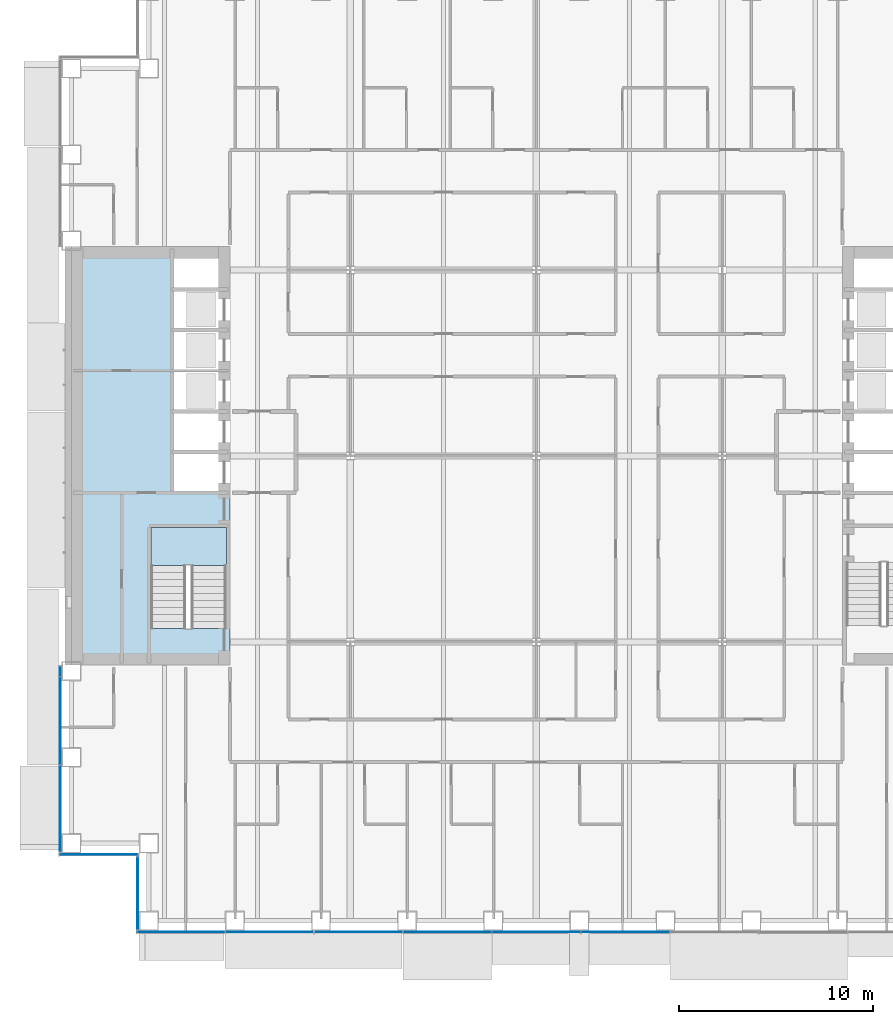
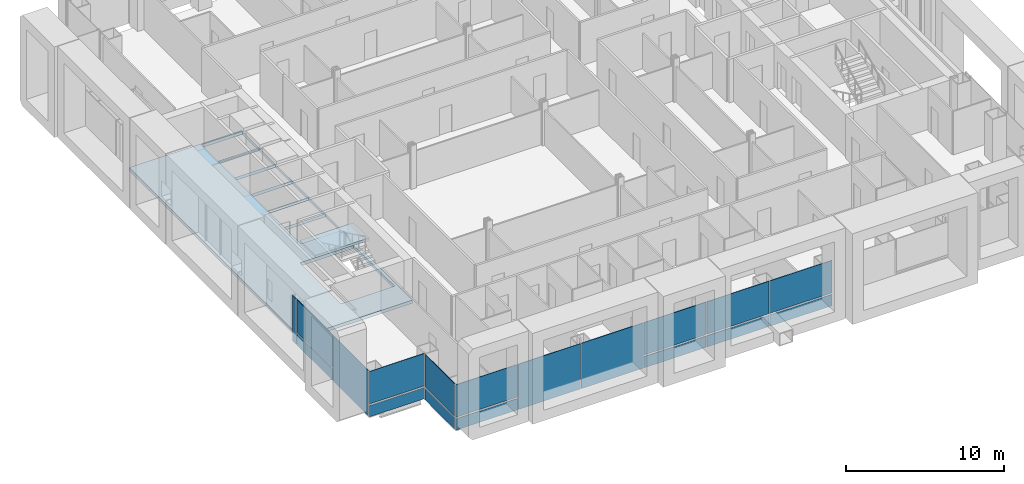
# One storey, part 10 of 25: 18 plates, 2 slabs, 5 elements without a shape of their own.
"""IFC4 building model written with IfcOpenShell, lengths in metres."""

from ifc_helpers import new_model, si_unit, direction, frame, origin, origin_2d, place, context, subcontext, project, spatial, polyline, rectangle, outline, extrude, material, layer, layer_set, type_object, element, aggregate, save


model = new_model("IFC4")

# Units and contexts
model_context = context("Model", 3, precision=1e-05, world=origin(), true_north=direction((0.0, 1.0)))
body_context = subcontext(model_context, "Body", "Model", "MODEL_VIEW")
ifc_project = project(units=[si_unit("LENGTHUNIT", "METRE"), si_unit("AREAUNIT", "SQUARE_METRE"), si_unit("VOLUMEUNIT", "CUBIC_METRE"), si_unit("PLANEANGLEUNIT", "RADIAN"), si_unit("MASSUNIT", "GRAM", prefix="KILO")], contexts=[model_context])

# Site, building, storey
site_placement = place(None, origin())
site = spatial("IfcSite", under=ifc_project, at=site_placement, CompositionType="ELEMENT")
building_placement = place(site_placement, origin())
building = spatial("IfcBuilding", under=site, at=building_placement, Name="Cobrizo Arcos Hotel Tower", CompositionType="ELEMENT")
storey_placement = place(building_placement, frame((0.0, 0.0, 53.0)))
storey = spatial("IfcBuildingStorey", under=building, at=storey_placement, Name="L11", CompositionType="ELEMENT", Elevation=53.0)

# Curtain wall, plates
ifc_material_1 = material(Name="Aluminium 6063-T6 anodised bronze", Category="aluminium")
curtain_wall_type = type_object("IfcCurtainWallType", Name="CW-A guest facade", PredefinedType="NOTDEFINED", material=ifc_material_1)
curtain_wall_1_placement = place(storey_placement, origin())
curtain_wall_1 = element("IfcCurtainWall", 1, at=curtain_wall_1_placement, inside=storey, type_object=curtain_wall_type, Name="CW-A L11 S face", PredefinedType="NOTDEFINED")
ifc_material_2 = material(Name="Glass clear laminated low-e", Category="glass")
ifc_layer_1 = layer(ifc_material_2, 0.0400390625)
ifc_layer_set_1 = layer_set([ifc_layer_1], Name="CW-A glass panel")
plate_type_1 = type_object("IfcPlateType", Name="CW-A glass panel", PredefinedType="CURTAIN_PANEL", material=ifc_layer_set_1)
plate_1_placement = place(storey_placement, frame((-18.340576171875, -24.574951171875, 0.990234375), z_axis=(0.0, 0.0, 1.0), x_axis=(1.0, 0.0, 0.0)))
plate_1 = element("IfcPlate", 2, at=plate_1_placement, type_object=plate_type_1, Name="CW-A glass panel 513", PredefinedType="CURTAIN_PANEL", context=body_context, shape_type="SweptSolid", body=[
    extrude(rectangle(XDim=4.498779296875, YDim=0.0400390625, at=origin_2d()), origin(), (0.0, 0.0, 1.0), 2.510009765625),
])
plate_2_placement = place(storey_placement, frame((-4.5888671875, -24.574951171875, 0.990234375), z_axis=(0.0, 0.0, 1.0), x_axis=(1.0, 0.0, 0.0)))
plate_2 = element("IfcPlate", 3, at=plate_2_placement, type_object=plate_type_1, Name="CW-A glass panel 516", PredefinedType="CURTAIN_PANEL", context=body_context, shape_type="SweptSolid", body=[
    extrude(rectangle(XDim=4.52880859375, YDim=0.0400390625, at=origin_2d()), origin(), (0.0, 0.0, 1.0), 2.510009765625),
])
plate_3_placement = place(storey_placement, frame((0.0, -24.574951171875, 0.990234375), z_axis=(0.0, 0.0, 1.0), x_axis=(1.0, 0.0, 0.0)))
plate_3 = element("IfcPlate", 4, at=plate_3_placement, type_object=plate_type_1, Name="CW-A glass panel 517", PredefinedType="CURTAIN_PANEL", context=body_context, shape_type="SweptSolid", body=[
    extrude(rectangle(XDim=4.52880859375, YDim=0.0400390625, at=origin_2d()), origin(), (0.0, 0.0, 1.0), 2.510009765625),
])
plate_4_placement = place(storey_placement, frame((4.5888671875, -24.574951171875, 0.990234375), z_axis=(0.0, 0.0, 1.0), x_axis=(1.0, 0.0, 0.0)))
plate_4 = element("IfcPlate", 5, at=plate_4_placement, type_object=plate_type_1, Name="CW-A glass panel 518", PredefinedType="CURTAIN_PANEL", context=body_context, shape_type="SweptSolid", body=[
    extrude(rectangle(XDim=4.52880859375, YDim=0.0400390625, at=origin_2d()), origin(), (0.0, 0.0, 1.0), 2.510009765625),
])

# Curtain wall, plate
curtain_wall_2_placement = place(storey_placement, origin())
curtain_wall_2 = element("IfcCurtainWall", 6, at=curtain_wall_2_placement, inside=storey, type_object=curtain_wall_type, Name="CW-A L11 W face", PredefinedType="NOTDEFINED")
plate_5_placement = place(storey_placement, frame((-24.574951171875, -13.666748046875, 0.990234375), z_axis=(0.0, 0.0, 1.0), x_axis=(0.0, -1.0, 0.0)))
plate_5 = element("IfcPlate", 7, at=plate_5_placement, type_object=plate_type_1, Name="CW-A glass panel 547", PredefinedType="CURTAIN_PANEL", context=body_context, shape_type="SweptSolid", body=[
    extrude(rectangle(XDim=4.49560546875, YDim=0.0400390625, at=origin_2d()), origin(), (0.0, 0.0, 1.0), 2.510009765625),
])

curtain_wall_3_placement = place(storey_placement, origin())
curtain_wall_3 = element("IfcCurtainWall", 8, at=curtain_wall_3_placement, inside=storey, type_object=curtain_wall_type, Name="CW-A L11 S face", PredefinedType="NOTDEFINED")
plate_6_placement = place(storey_placement, frame((-22.574951171875, -20.574951171875, 0.990234375), z_axis=(0.0, 0.0, 1.0), x_axis=(1.0, 0.0, 0.0)))
plate_6 = element("IfcPlate", 9, at=plate_6_placement, type_object=plate_type_1, Name="CW-A glass panel 549", PredefinedType="CURTAIN_PANEL", context=body_context, shape_type="SweptSolid", body=[
    extrude(rectangle(XDim=4.030029296875, YDim=0.0400390625, at=origin_2d()), origin(), (0.0, 0.0, 1.0), 2.510009765625),
])

curtain_wall_4_placement = place(storey_placement, origin())
curtain_wall_4 = element("IfcCurtainWall", 10, at=curtain_wall_4_placement, inside=storey, type_object=curtain_wall_type, Name="CW-A L11 W face", PredefinedType="NOTDEFINED")
plate_7_placement = place(storey_placement, frame((-20.574951171875, -22.574951171875, 0.990234375), z_axis=(0.0, 0.0, 1.0), x_axis=(0.0, -1.0, 0.0)))
plate_7 = element("IfcPlate", 11, at=plate_7_placement, type_object=plate_type_1, Name="CW-A glass panel 550", PredefinedType="CURTAIN_PANEL", context=body_context, shape_type="SweptSolid", body=[
    extrude(rectangle(XDim=3.72998046875, YDim=0.0400390625, at=origin_2d()), origin(), (0.0, 0.0, 1.0), 2.510009765625),
])

# Plate
ifc_material_3 = material(Name="Aluminium composite panel pale metal", Category="aluminium")
ifc_layer_2 = layer(ifc_material_3, 0.0400390625)
ifc_layer_set_2 = layer_set([ifc_layer_2], Name="CW-A spandrel panel")
plate_type_2 = type_object("IfcPlateType", Name="CW-A spandrel panel", PredefinedType="CURTAIN_PANEL", material=ifc_layer_set_2)
plate_8_placement = place(storey_placement, frame((-18.340576171875, -24.574951171875, 0.0), z_axis=(0.0, 0.0, 1.0), x_axis=(1.0, 0.0, 0.0)))
plate_8 = element("IfcPlate", 12, at=plate_8_placement, type_object=plate_type_2, Name="CW-A spandrel panel 513", PredefinedType="CURTAIN_PANEL", context=body_context, shape_type="SweptSolid", body=[
    extrude(rectangle(XDim=4.498779296875, YDim=0.0400390625, at=origin_2d()), origin(), (0.0, 0.0, 1.0), 0.8701171875),
])

plate_9_placement = place(storey_placement, frame((-13.7666015625, -24.574951171875, 0.0), z_axis=(0.0, 0.0, 1.0), x_axis=(1.0, 0.0, 0.0)))
plate_9 = element("IfcPlate", 13, at=plate_9_placement, type_object=plate_type_2, Name="CW-A spandrel panel 514", PredefinedType="CURTAIN_PANEL", context=body_context, shape_type="SweptSolid", body=[
    extrude(rectangle(XDim=4.52880859375, YDim=0.0400390625, at=origin_2d()), origin(), (0.0, 0.0, 1.0), 3.5),
])

plate_10_placement = place(storey_placement, frame((-9.177734375, -24.574951171875, 0.0), z_axis=(0.0, 0.0, 1.0), x_axis=(1.0, 0.0, 0.0)))
plate_10 = element("IfcPlate", 14, at=plate_10_placement, type_object=plate_type_2, Name="CW-A spandrel panel 515", PredefinedType="CURTAIN_PANEL", context=body_context, shape_type="SweptSolid", body=[
    extrude(rectangle(XDim=4.52880859375, YDim=0.0400390625, at=origin_2d()), origin(), (0.0, 0.0, 1.0), 3.5),
])

plate_11_placement = place(storey_placement, frame((-4.5888671875, -24.574951171875, 0.0), z_axis=(0.0, 0.0, 1.0), x_axis=(1.0, 0.0, 0.0)))
plate_11 = element("IfcPlate", 15, at=plate_11_placement, type_object=plate_type_2, Name="CW-A spandrel panel 516", PredefinedType="CURTAIN_PANEL", context=body_context, shape_type="SweptSolid", body=[
    extrude(rectangle(XDim=4.52880859375, YDim=0.0400390625, at=origin_2d()), origin(), (0.0, 0.0, 1.0), 0.8701171875),
])

plate_12_placement = place(storey_placement, frame((0.0, -24.574951171875, 0.0), z_axis=(0.0, 0.0, 1.0), x_axis=(1.0, 0.0, 0.0)))
plate_12 = element("IfcPlate", 16, at=plate_12_placement, type_object=plate_type_2, Name="CW-A spandrel panel 517", PredefinedType="CURTAIN_PANEL", context=body_context, shape_type="SweptSolid", body=[
    extrude(rectangle(XDim=4.52880859375, YDim=0.0400390625, at=origin_2d()), origin(), (0.0, 0.0, 1.0), 0.8701171875),
])

plate_13_placement = place(storey_placement, frame((4.5888671875, -24.574951171875, 0.0), z_axis=(0.0, 0.0, 1.0), x_axis=(1.0, 0.0, 0.0)))
plate_13 = element("IfcPlate", 17, at=plate_13_placement, type_object=plate_type_2, Name="CW-A spandrel panel 518", PredefinedType="CURTAIN_PANEL", context=body_context, shape_type="SweptSolid", body=[
    extrude(rectangle(XDim=4.52880859375, YDim=0.0400390625, at=origin_2d()), origin(), (0.0, 0.0, 1.0), 0.8701171875),
])

aggregate(curtain_wall_1, [plate_8, plate_1, plate_9, plate_10, plate_11, plate_2, plate_12, plate_3, plate_13, plate_4])

plate_14_placement = place(storey_placement, frame((-24.574951171875, -11.109375, 0.0), z_axis=(0.0, 0.0, 1.0), x_axis=(0.0, -1.0, 0.0)))
plate_14 = element("IfcPlate", 18, at=plate_14_placement, type_object=plate_type_2, Name="CW-A spandrel panel 546", PredefinedType="CURTAIN_PANEL", context=body_context, shape_type="SweptSolid", body=[
    extrude(rectangle(XDim=0.498779296875, YDim=0.0400390625, at=origin_2d()), origin(), (0.0, 0.0, 1.0), 3.5),
])

plate_15_placement = place(storey_placement, frame((-24.574951171875, -13.666748046875, 0.0), z_axis=(0.0, 0.0, 1.0), x_axis=(0.0, -1.0, 0.0)))
plate_15 = element("IfcPlate", 19, at=plate_15_placement, type_object=plate_type_2, Name="CW-A spandrel panel 547", PredefinedType="CURTAIN_PANEL", context=body_context, shape_type="SweptSolid", body=[
    extrude(rectangle(XDim=4.49560546875, YDim=0.0400390625, at=origin_2d()), origin(), (0.0, 0.0, 1.0), 0.8701171875),
])

plate_16_placement = place(storey_placement, frame((-24.574951171875, -18.207275390625, 0.0), z_axis=(0.0, 0.0, 1.0), x_axis=(0.0, -1.0, 0.0)))
plate_16 = element("IfcPlate", 20, at=plate_16_placement, type_object=plate_type_2, Name="CW-A spandrel panel 548", PredefinedType="CURTAIN_PANEL", context=body_context, shape_type="SweptSolid", body=[
    extrude(rectangle(XDim=4.465576171875, YDim=0.0400390625, at=origin_2d()), origin(), (0.0, 0.0, 1.0), 3.5),
])

aggregate(curtain_wall_2, [plate_14, plate_15, plate_5, plate_16])

plate_17_placement = place(storey_placement, frame((-22.574951171875, -20.574951171875, 0.0), z_axis=(0.0, 0.0, 1.0), x_axis=(1.0, 0.0, 0.0)))
plate_17 = element("IfcPlate", 21, at=plate_17_placement, type_object=plate_type_2, Name="CW-A spandrel panel 549", PredefinedType="CURTAIN_PANEL", context=body_context, shape_type="SweptSolid", body=[
    extrude(rectangle(XDim=4.030029296875, YDim=0.0400390625, at=origin_2d()), origin(), (0.0, 0.0, 1.0), 0.8701171875),
])

aggregate(curtain_wall_3, [plate_17, plate_6])

plate_18_placement = place(storey_placement, frame((-20.574951171875, -22.574951171875, 0.0), z_axis=(0.0, 0.0, 1.0), x_axis=(0.0, -1.0, 0.0)))
plate_18 = element("IfcPlate", 22, at=plate_18_placement, type_object=plate_type_2, Name="CW-A spandrel panel 550", PredefinedType="CURTAIN_PANEL", context=body_context, shape_type="SweptSolid", body=[
    extrude(rectangle(XDim=3.72998046875, YDim=0.0400390625, at=origin_2d()), origin(), (0.0, 0.0, 1.0), 0.8701171875),
])

aggregate(curtain_wall_4, [plate_18, plate_7])

# Slab
ifc_material_4 = material(Name="Concrete f'c 60 MPa", Category="concrete")
ifc_layer_3 = layer(ifc_material_4, 0.25)
ifc_layer_set_3 = layer_set([ifc_layer_3], Name="RC core floor slab 250 f'c 60")
slab_type_1 = type_object("IfcSlabType", Name="RC core floor slab 250 f'c 60", PredefinedType="FLOOR", material=ifc_layer_set_3)
slab_1_placement = place(storey_placement, frame((0.0, 0.0, -0.25)))
element("IfcSlab", 23, at=slab_1_placement, inside=storey, type_object=slab_type_1, Name="Core floor slab CS3, west core, L11", PredefinedType="FLOOR", context=body_context, shape_type="SweptSolid", body=[
    extrude(outline(polyline([(-24.0, 10.800048828125), (-15.800048828125, 10.800048828125), (-15.800048828125, -10.800048828125), (-24.0, -10.800048828125), (-24.0, 10.800048828125)]), holes=[polyline([(-19.89794921875, -3.701904296875), (-19.89794921875, -8.89794921875), (-16.001953125, -8.89794921875), (-16.001953125, -3.701904296875), (-19.89794921875, -3.701904296875)]), polyline([(-18.798095703125, 0.197998046875), (-18.798095703125, -1.89794921875), (-15.802001953125, -1.89794921875), (-15.802001953125, 0.197998046875), (-18.798095703125, 0.197998046875)]), polyline([(-15.802001953125, 2.298095703125), (-18.798095703125, 2.298095703125), (-18.798095703125, 0.201904296875), (-15.802001953125, 0.201904296875), (-15.802001953125, 2.298095703125)]), polyline([(-15.802001953125, 4.39794921875), (-18.798095703125, 4.39794921875), (-18.798095703125, 2.302001953125), (-15.802001953125, 2.302001953125), (-15.802001953125, 4.39794921875)]), polyline([(-18.798095703125, 6.498046875), (-18.798095703125, 4.402099609375), (-15.802001953125, 4.402099609375), (-15.802001953125, 6.498046875), (-18.798095703125, 6.498046875)]), polyline([(-15.802001953125, 8.597900390625), (-18.798095703125, 8.597900390625), (-18.798095703125, 6.501953125), (-15.802001953125, 6.501953125), (-15.802001953125, 8.597900390625)]), polyline([(-15.802001953125, 10.697998046875), (-18.798095703125, 10.697998046875), (-18.798095703125, 8.60205078125), (-15.802001953125, 8.60205078125), (-15.802001953125, 10.697998046875)])]), origin(), (0.0, 0.0, 1.0), 0.25),
])

# Stair, slab
ifc_material_5 = material(Name="Concrete f'c 40 MPa", Category="concrete")
stair_type = type_object("IfcStairType", Name="Exit stair", PredefinedType="HALF_TURN_STAIR", material=ifc_material_5)
stair_placement = place(storey_placement, origin())
stair = element("IfcStair", 24, at=stair_placement, inside=storey, type_object=stair_type, Name="L11 Exit stair ST-W", PredefinedType="HALF_TURN_STAIR")
ifc_layer_4 = layer(ifc_material_5, 0.199951171875)
ifc_layer_set_4 = layer_set([ifc_layer_4], Name="Stair landing")
slab_type_2 = type_object("IfcSlabType", Name="Stair landing", PredefinedType="LANDING", material=ifc_layer_set_4)
slab_2_placement = place(storey_placement, frame((0.0, 0.0, 1.550048828125)))
slab_2 = element("IfcSlab", 25, at=slab_2_placement, type_object=slab_type_2, Name="ST-W landing 1", PredefinedType="LANDING", context=body_context, shape_type="SweptSolid", body=[
    extrude(outline(polyline([(-16.0, -5.659912109375), (-16.0, -3.699951171875), (-19.89990234375, -3.699951171875), (-19.89990234375, -5.659912109375), (-16.0, -5.659912109375)])), origin(), (0.0, 0.0, 1.0), 0.199951171875),
])
aggregate(stair, [slab_2])

save(model, "model.ifc")
